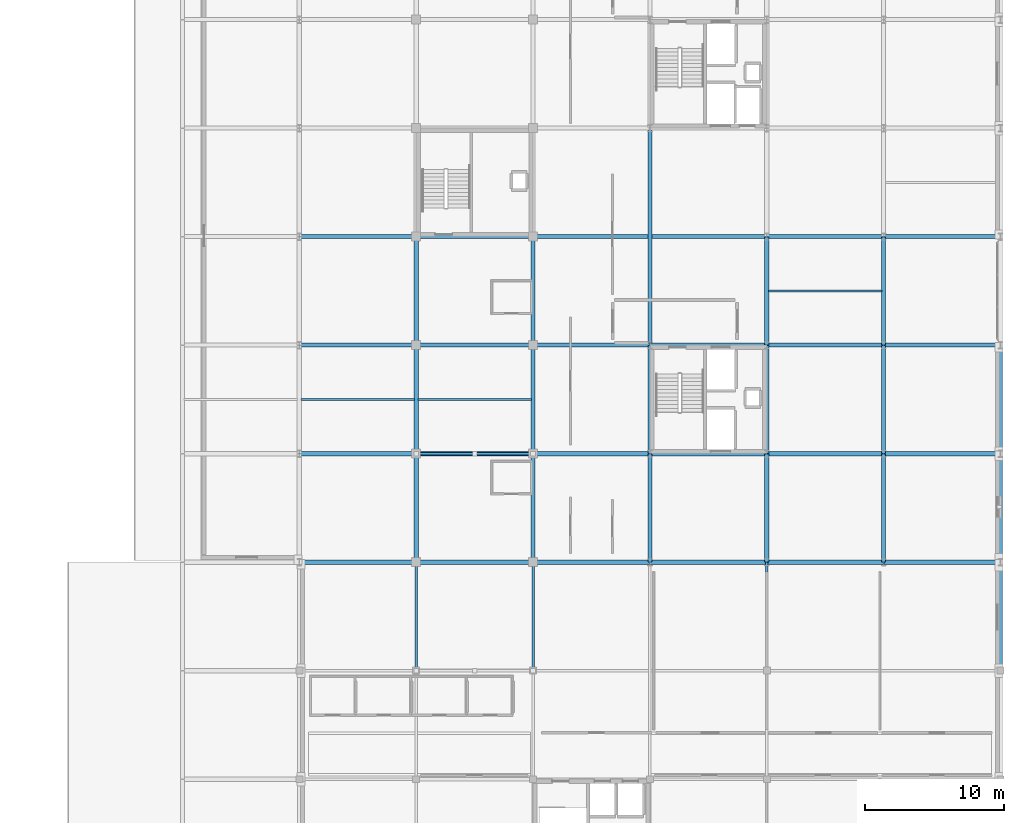
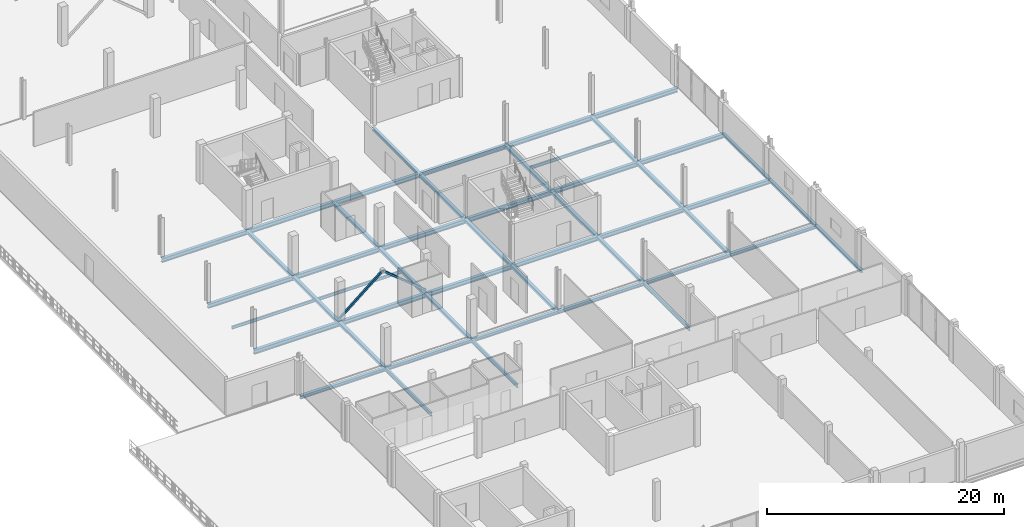
# One storey, part 13 of 41: 47 beams, 2 members.
"""IFC4 building model written with IfcOpenShell, lengths in metres."""

from ifc_helpers import new_model, si_unit, direction, frame, origin, origin_2d, place, context, subcontext, project, spatial, hollow_rectangle, i_section, extrude, material, material_profile, profile_set, type_object, element, save


model = new_model("IFC4")

# Units and contexts
model_context = context("Model", 3, precision=1e-05, world=origin(), true_north=direction((0.0, 1.0)))
body_context = subcontext(model_context, "Body", "Model", "MODEL_VIEW")
ifc_project = project(units=[si_unit("LENGTHUNIT", "METRE"), si_unit("AREAUNIT", "SQUARE_METRE"), si_unit("VOLUMEUNIT", "CUBIC_METRE"), si_unit("PLANEANGLEUNIT", "RADIAN"), si_unit("MASSUNIT", "GRAM", prefix="KILO")], contexts=[model_context])

# Site, building, storey
site_placement = place(None, origin())
site = spatial("IfcSite", under=ifc_project, at=site_placement, CompositionType="ELEMENT")
building_placement = place(site_placement, origin())
building = spatial("IfcBuilding", under=site, at=building_placement, Name="Nabrawat Pavilion Hospital", CompositionType="ELEMENT")
storey_placement = place(building_placement, frame((0.0, 0.0, 18.89990234375)))
storey = spatial("IfcBuildingStorey", under=building, at=storey_placement, Name="L04", CompositionType="ELEMENT", Elevation=18.89990234375)

# Beams
ifc_material = material(Name="Steel S355", Category="steel")
ifc_material_profile_1 = material_profile(ifc_material, i_section(OverallWidth=0.300048828125, OverallDepth=0.43994140625, WebThickness=0.011474609375, FlangeThickness=0.02099609375, FilletRadius=0.027099609375, at=origin_2d()), Name="HEA 450")
ifc_profile_set_1 = profile_set([ifc_material_profile_1], Name="Steel S355")
beam_type_1 = type_object("IfcBeamType", Name="Mid-Tier Ward Girder HEA 450", PredefinedType="USERDEFINED", material=ifc_profile_set_1)
beam_1_placement = place(storey_placement, frame((142.820068359375, 46.800048828125, -0.4599609375), z_axis=(1.0, 0.0, 0.0), x_axis=(0.0, 1.0, 0.0)))
element("IfcBeam", 1, at=beam_1_placement, inside=storey, type_object=beam_type_1, Name="L04 Primary X Girder 1793", ObjectType="GIRDER", PredefinedType="USERDEFINED", context=body_context, shape_type="SweptSolid", body=[
    extrude(i_section(OverallWidth=0.300048828125, OverallDepth=0.43994140625, WebThickness=0.011474609375, FlangeThickness=0.02099609375, FilletRadius=0.027099609375, at=origin_2d()), origin(), (0.0, 0.0, 1.0), 8.35986328125),
])
beam_2_placement = place(storey_placement, frame((151.219970703125, 46.800048828125, -0.4599609375), z_axis=(1.0, 0.0, 0.0), x_axis=(0.0, 1.0, 0.0)))
element("IfcBeam", 2, at=beam_2_placement, inside=storey, type_object=beam_type_1, Name="L04 Primary X Girder 1794", ObjectType="GIRDER", PredefinedType="USERDEFINED", context=body_context, shape_type="SweptSolid", body=[
    extrude(i_section(OverallWidth=0.300048828125, OverallDepth=0.43994140625, WebThickness=0.011474609375, FlangeThickness=0.02099609375, FilletRadius=0.027099609375, at=origin_2d()), origin(), (0.0, 0.0, 1.0), 8.360107421875),
])
for number, where, z_axis, x_axis, name in (
    (3, (159.6201171875, 46.800048828125, -0.4599609375), (1.0, 0.0, 0.0), (0.0, 1.0, 0.0), "L04 Primary X Girder 1795"),
    (4, (168.02001953125, 46.800048828125, -0.4599609375), (1.0, 0.0, 0.0), (0.0, 1.0, 0.0), "L04 Primary X Girder 1796"),
):
    element("IfcBeam", number, at=place(storey_placement, frame(where, z_axis=z_axis, x_axis=x_axis)), inside=storey, type_object=beam_type_1, Name=name, ObjectType="GIRDER", PredefinedType="USERDEFINED", context=body_context, shape_type="SweptSolid", body=[
        extrude(i_section(OverallWidth=0.300048828125, OverallDepth=0.43994140625, WebThickness=0.011474609375, FlangeThickness=0.02099609375, FilletRadius=0.027099609375, at=origin_2d()), origin(), (0.0, 0.0, 1.0), 8.35986328125),
    ])
beam_3_placement = place(storey_placement, frame((176.419921875, 46.800048828125, -0.4599609375), z_axis=(1.0, 0.0, 0.0), x_axis=(0.0, 1.0, 0.0)))
element("IfcBeam", 5, at=beam_3_placement, inside=storey, type_object=beam_type_1, Name="L04 Primary X Girder 1797", ObjectType="GIRDER", PredefinedType="USERDEFINED", context=body_context, shape_type="SweptSolid", body=[
    extrude(i_section(OverallWidth=0.300048828125, OverallDepth=0.43994140625, WebThickness=0.011474609375, FlangeThickness=0.02099609375, FilletRadius=0.027099609375, at=origin_2d()), origin(), (0.0, 0.0, 1.0), 8.360107421875),
])
for number, where, z_axis, x_axis, name in (
    (6, (184.820068359375, 46.800048828125, -0.4599609375), (1.0, 0.0, 0.0), (0.0, 1.0, 0.0), "L04 Primary X Girder 1798"),
    (7, (142.820068359375, 54.60009765625, -0.4599609375), (1.0, 0.0, 0.0), (0.0, 1.0, 0.0), "L04 Primary X Girder 1800"),
):
    element("IfcBeam", number, at=place(storey_placement, frame(where, z_axis=z_axis, x_axis=x_axis)), inside=storey, type_object=beam_type_1, Name=name, ObjectType="GIRDER", PredefinedType="USERDEFINED", context=body_context, shape_type="SweptSolid", body=[
        extrude(i_section(OverallWidth=0.300048828125, OverallDepth=0.43994140625, WebThickness=0.011474609375, FlangeThickness=0.02099609375, FilletRadius=0.027099609375, at=origin_2d()), origin(), (0.0, 0.0, 1.0), 8.35986328125),
    ])
beam_4_placement = place(storey_placement, frame((151.219970703125, 54.60009765625, -0.4599609375), z_axis=(1.0, 0.0, 0.0), x_axis=(0.0, 1.0, 0.0)))
element("IfcBeam", 8, at=beam_4_placement, inside=storey, type_object=beam_type_1, Name="L04 Primary X Girder 1801", ObjectType="GIRDER", PredefinedType="USERDEFINED", context=body_context, shape_type="SweptSolid", body=[
    extrude(i_section(OverallWidth=0.300048828125, OverallDepth=0.43994140625, WebThickness=0.011474609375, FlangeThickness=0.02099609375, FilletRadius=0.027099609375, at=origin_2d()), origin(), (0.0, 0.0, 1.0), 8.360107421875),
])
for number, where, z_axis, x_axis, name in (
    (9, (159.6201171875, 54.60009765625, -0.4599609375), (1.0, 0.0, 0.0), (0.0, 1.0, 0.0), "L04 Primary X Girder 1802"),
    (10, (168.02001953125, 54.60009765625, -0.4599609375), (1.0, 0.0, 0.0), (0.0, 1.0, 0.0), "L04 Primary X Girder 1803"),
):
    element("IfcBeam", number, at=place(storey_placement, frame(where, z_axis=z_axis, x_axis=x_axis)), inside=storey, type_object=beam_type_1, Name=name, ObjectType="GIRDER", PredefinedType="USERDEFINED", context=body_context, shape_type="SweptSolid", body=[
        extrude(i_section(OverallWidth=0.300048828125, OverallDepth=0.43994140625, WebThickness=0.011474609375, FlangeThickness=0.02099609375, FilletRadius=0.027099609375, at=origin_2d()), origin(), (0.0, 0.0, 1.0), 8.35986328125),
    ])
beam_5_placement = place(storey_placement, frame((176.419921875, 54.60009765625, -0.4599609375), z_axis=(1.0, 0.0, 0.0), x_axis=(0.0, 1.0, 0.0)))
element("IfcBeam", 11, at=beam_5_placement, inside=storey, type_object=beam_type_1, Name="L04 Primary X Girder 1804", ObjectType="GIRDER", PredefinedType="USERDEFINED", context=body_context, shape_type="SweptSolid", body=[
    extrude(i_section(OverallWidth=0.300048828125, OverallDepth=0.43994140625, WebThickness=0.011474609375, FlangeThickness=0.02099609375, FilletRadius=0.027099609375, at=origin_2d()), origin(), (0.0, 0.0, 1.0), 8.360107421875),
])
for number, where, z_axis, x_axis, name in (
    (12, (184.820068359375, 54.60009765625, -0.4599609375), (1.0, 0.0, 0.0), (0.0, 1.0, 0.0), "L04 Primary X Girder 1805"),
    (13, (142.820068359375, 62.39990234375, -0.4599609375), (1.0, 0.0, 0.0), (0.0, 1.0, 0.0), "L04 Primary X Girder 1807"),
):
    element("IfcBeam", number, at=place(storey_placement, frame(where, z_axis=z_axis, x_axis=x_axis)), inside=storey, type_object=beam_type_1, Name=name, ObjectType="GIRDER", PredefinedType="USERDEFINED", context=body_context, shape_type="SweptSolid", body=[
        extrude(i_section(OverallWidth=0.300048828125, OverallDepth=0.43994140625, WebThickness=0.011474609375, FlangeThickness=0.02099609375, FilletRadius=0.027099609375, at=origin_2d()), origin(), (0.0, 0.0, 1.0), 8.35986328125),
    ])
beam_6_placement = place(storey_placement, frame((151.219970703125, 62.39990234375, -0.4599609375), z_axis=(1.0, 0.0, 0.0), x_axis=(0.0, 1.0, 0.0)))
element("IfcBeam", 14, at=beam_6_placement, inside=storey, type_object=beam_type_1, Name="L04 Primary X Girder 1808", ObjectType="GIRDER", PredefinedType="USERDEFINED", context=body_context, shape_type="SweptSolid", body=[
    extrude(i_section(OverallWidth=0.300048828125, OverallDepth=0.43994140625, WebThickness=0.011474609375, FlangeThickness=0.02099609375, FilletRadius=0.027099609375, at=origin_2d()), origin(), (0.0, 0.0, 1.0), 8.360107421875),
])
beam_7_placement = place(storey_placement, frame((159.6201171875, 62.39990234375, -0.4599609375), z_axis=(1.0, 0.0, 0.0), x_axis=(0.0, 1.0, 0.0)))
element("IfcBeam", 15, at=beam_7_placement, inside=storey, type_object=beam_type_1, Name="L04 Primary X Girder 1809", ObjectType="GIRDER", PredefinedType="USERDEFINED", context=body_context, shape_type="SweptSolid", body=[
    extrude(i_section(OverallWidth=0.300048828125, OverallDepth=0.43994140625, WebThickness=0.011474609375, FlangeThickness=0.02099609375, FilletRadius=0.027099609375, at=origin_2d()), origin(), (0.0, 0.0, 1.0), 16.759765625),
])
beam_8_placement = place(storey_placement, frame((176.419921875, 62.39990234375, -0.4599609375), z_axis=(1.0, 0.0, 0.0), x_axis=(0.0, 1.0, 0.0)))
element("IfcBeam", 16, at=beam_8_placement, inside=storey, type_object=beam_type_1, Name="L04 Primary X Girder 1810", ObjectType="GIRDER", PredefinedType="USERDEFINED", context=body_context, shape_type="SweptSolid", body=[
    extrude(i_section(OverallWidth=0.300048828125, OverallDepth=0.43994140625, WebThickness=0.011474609375, FlangeThickness=0.02099609375, FilletRadius=0.027099609375, at=origin_2d()), origin(), (0.0, 0.0, 1.0), 8.360107421875),
])
beam_9_placement = place(storey_placement, frame((184.820068359375, 62.39990234375, -0.4599609375), z_axis=(1.0, 0.0, 0.0), x_axis=(0.0, 1.0, 0.0)))
element("IfcBeam", 17, at=beam_9_placement, inside=storey, type_object=beam_type_1, Name="L04 Primary X Girder 1811", ObjectType="GIRDER", PredefinedType="USERDEFINED", context=body_context, shape_type="SweptSolid", body=[
    extrude(i_section(OverallWidth=0.300048828125, OverallDepth=0.43994140625, WebThickness=0.011474609375, FlangeThickness=0.02099609375, FilletRadius=0.027099609375, at=origin_2d()), origin(), (0.0, 0.0, 1.0), 8.35986328125),
])
ifc_material_profile_2 = material_profile(ifc_material, i_section(OverallWidth=0.179931640625, OverallDepth=0.39990234375, WebThickness=0.008544921875, FlangeThickness=0.013427734375, FilletRadius=0.02099609375, at=origin_2d()), Name="IPE 400")
ifc_profile_set_2 = profile_set([ifc_material_profile_2], Name="Steel S355")
beam_type_2 = type_object("IfcBeamType", Name="Standard Y Floor Beam IPE 400", PredefinedType="BEAM", material=ifc_profile_set_2)
for number, where, z_axis, x_axis, name in (
    (18, (151.199951171875, 31.219970703125, -0.429931640625), (0.0, 1.0, 0.0), (-1.0, 0.0, 0.0), "L04 Primary Y Beam 1899"),
    (19, (159.60009765625, 31.219970703125, -0.429931640625), (0.0, 1.0, 0.0), (-1.0, 0.0, 0.0), "L04 Primary Y Beam 1915"),
    (20, (176.39990234375, 31.219970703125, -0.429931640625), (0.0, 1.0, 0.0), (-1.0, 0.0, 0.0), "L04 Primary Y Beam 1940"),
):
    element("IfcBeam", number, at=place(storey_placement, frame(where, z_axis=z_axis, x_axis=x_axis)), inside=storey, type_object=beam_type_2, Name=name, PredefinedType="BEAM", context=body_context, shape_type="SweptSolid", body=[
        extrude(i_section(OverallWidth=0.179931640625, OverallDepth=0.39990234375, WebThickness=0.008544921875, FlangeThickness=0.013427734375, FilletRadius=0.02099609375, at=origin_2d()), origin(), (0.0, 0.0, 1.0), 7.760009765625),
    ])

# Members
ifc_material_profile_3 = material_profile(ifc_material, hollow_rectangle(XDim=0.179931640625, YDim=0.179931640625, WallThickness=0.010009765625, at=origin_2d()), Name="SHS 180x180x10")
ifc_profile_set_3 = profile_set([ifc_material_profile_3], Name="Steel S355")
member_type = type_object("IfcMemberType", Name="Upper Seismic Chevron Brace SHS 180x180x10", PredefinedType="BRACE", material=ifc_profile_set_3)
for number, where, z_axis, x_axis, name in (
    (21, (151.199951171875, 46.800048828125, 0.050048828125), (0.772727041362, 0.0, 0.63473846547), (0.0, 1.0, 0.0), "L04 Seismic Concentric Chevron Brace 057"),
    (22, (159.60009765625, 46.800048828125, 0.050048828125), (-0.772745137627, 0.0, 0.634716434539), (0.0, -1.0, 0.0), "L04 Seismic Concentric Chevron Brace 058"),
):
    element("IfcMember", number, at=place(storey_placement, frame(where, z_axis=z_axis, x_axis=x_axis)), inside=storey, type_object=member_type, Name=name, PredefinedType="BRACE", context=body_context, shape_type="SweptSolid", body=[
        extrude(hollow_rectangle(XDim=0.179931640625, YDim=0.179931640625, WallThickness=0.010009765625, at=origin_2d()), origin(), (0.0, 0.0, 1.0), 5.435302734375),
    ])

# Beams
ifc_material_profile_4 = material_profile(ifc_material, i_section(OverallWidth=0.280029296875, OverallDepth=0.280029296875, WebThickness=0.010498046875, FlangeThickness=0.01806640625, FilletRadius=0.02392578125, at=origin_2d()), Name="HEB 280")
ifc_profile_set_4 = profile_set([ifc_material_profile_4], Name="Steel S355")
beam_type_3 = type_object("IfcBeamType", Name="Upper Terrace Edge Spandrel HEB 280", PredefinedType="SPANDREL", material=ifc_profile_set_4)
for number, where, z_axis, x_axis, name in (
    (23, (193.199951171875, 31.219970703125, -0.369873046875), (0.0, 1.0, 0.0), (-1.0, 0.0, 0.0), "L04 Primary Y Beam 1964"),
    (24, (193.199951171875, 39.02001953125, -0.3798828125), (0.0, 1.0, 0.0), (-1.0, 0.0, 0.0), "L04 Primary Y Beam 1965"),
    (25, (193.199951171875, 46.820068359375, -0.3798828125), (0.0, 1.0, 0.0), (-1.0, 0.0, 0.0), "L04 Primary Y Beam 1966"),
):
    element("IfcBeam", number, at=place(storey_placement, frame(where, z_axis=z_axis, x_axis=x_axis)), inside=storey, type_object=beam_type_3, Name=name, PredefinedType="SPANDREL", context=body_context, shape_type="SweptSolid", body=[
        extrude(i_section(OverallWidth=0.280029296875, OverallDepth=0.280029296875, WebThickness=0.010498046875, FlangeThickness=0.01806640625, FilletRadius=0.02392578125, at=origin_2d()), origin(), (0.0, 0.0, 1.0), 7.760009765625),
    ])
ifc_material_profile_5 = material_profile(ifc_material, i_section(OverallWidth=0.300048828125, OverallDepth=0.340087890625, WebThickness=0.011962890625, FlangeThickness=0.021484375, FilletRadius=0.027099609375, at=origin_2d()), Name="HEB 340")
ifc_profile_set_5 = profile_set([ifc_material_profile_5], Name="Steel S355")
beam_type_4 = type_object("IfcBeamType", Name="Ward Perimeter Spandrel Beam HEB 340", PredefinedType="SPANDREL", material=ifc_profile_set_5)
beam_10_placement = place(storey_placement, frame((142.820068359375, 39.0, -0.409912109375), z_axis=(1.0, 0.0, 0.0), x_axis=(0.0, 1.0, 0.0)))
element("IfcBeam", 26, at=beam_10_placement, inside=storey, type_object=beam_type_4, Name="L04 Primary X Girder 1786", PredefinedType="SPANDREL", context=body_context, shape_type="SweptSolid", body=[
    extrude(i_section(OverallWidth=0.300048828125, OverallDepth=0.340087890625, WebThickness=0.011962890625, FlangeThickness=0.021484375, FilletRadius=0.027099609375, at=origin_2d()), origin(), (0.0, 0.0, 1.0), 8.35986328125),
])
beam_11_placement = place(storey_placement, frame((151.219970703125, 39.0, -0.409912109375), z_axis=(1.0, 0.0, 0.0), x_axis=(0.0, 1.0, 0.0)))
element("IfcBeam", 27, at=beam_11_placement, inside=storey, type_object=beam_type_4, Name="L04 Primary X Girder 1787", PredefinedType="SPANDREL", context=body_context, shape_type="SweptSolid", body=[
    extrude(i_section(OverallWidth=0.300048828125, OverallDepth=0.340087890625, WebThickness=0.011962890625, FlangeThickness=0.021484375, FilletRadius=0.027099609375, at=origin_2d()), origin(), (0.0, 0.0, 1.0), 8.360107421875),
])
for number, where, z_axis, x_axis, name in (
    (28, (159.6201171875, 39.0, -0.409912109375), (1.0, 0.0, 0.0), (0.0, 1.0, 0.0), "L04 Primary X Girder 1788"),
    (29, (168.02001953125, 39.0, -0.409912109375), (1.0, 0.0, 0.0), (0.0, 1.0, 0.0), "L04 Primary X Girder 1789"),
):
    element("IfcBeam", number, at=place(storey_placement, frame(where, z_axis=z_axis, x_axis=x_axis)), inside=storey, type_object=beam_type_4, Name=name, PredefinedType="SPANDREL", context=body_context, shape_type="SweptSolid", body=[
        extrude(i_section(OverallWidth=0.300048828125, OverallDepth=0.340087890625, WebThickness=0.011962890625, FlangeThickness=0.021484375, FilletRadius=0.027099609375, at=origin_2d()), origin(), (0.0, 0.0, 1.0), 8.35986328125),
    ])
beam_12_placement = place(storey_placement, frame((176.419921875, 39.0, -0.409912109375), z_axis=(1.0, 0.0, 0.0), x_axis=(0.0, 1.0, 0.0)))
element("IfcBeam", 30, at=beam_12_placement, inside=storey, type_object=beam_type_4, Name="L04 Primary X Girder 1790", PredefinedType="SPANDREL", context=body_context, shape_type="SweptSolid", body=[
    extrude(i_section(OverallWidth=0.300048828125, OverallDepth=0.340087890625, WebThickness=0.011962890625, FlangeThickness=0.021484375, FilletRadius=0.027099609375, at=origin_2d()), origin(), (0.0, 0.0, 1.0), 8.360107421875),
])
beam_13_placement = place(storey_placement, frame((184.820068359375, 39.0, -0.409912109375), z_axis=(1.0, 0.0, 0.0), x_axis=(0.0, 1.0, 0.0)))
element("IfcBeam", 31, at=beam_13_placement, inside=storey, type_object=beam_type_4, Name="L04 Primary X Girder 1791", PredefinedType="SPANDREL", context=body_context, shape_type="SweptSolid", body=[
    extrude(i_section(OverallWidth=0.300048828125, OverallDepth=0.340087890625, WebThickness=0.011962890625, FlangeThickness=0.021484375, FilletRadius=0.027099609375, at=origin_2d()), origin(), (0.0, 0.0, 1.0), 8.35986328125),
])
ifc_material_profile_6 = material_profile(ifc_material, i_section(OverallWidth=0.14990234375, OverallDepth=0.300048828125, WebThickness=0.007080078125, FlangeThickness=0.0107421875, FilletRadius=0.014892578125, at=origin_2d()), Name="IPE 300")
ifc_profile_set_6 = profile_set([ifc_material_profile_6], Name="Steel S355")
beam_type_5 = type_object("IfcBeamType", Name="Ward Secondary Floor Joist IPE 300", PredefinedType="JOIST", material=ifc_profile_set_6)
beam_14_placement = place(storey_placement, frame((142.925048828125, 50.699951171875, -0.389892578125), z_axis=(1.0, 0.0, 0.0), x_axis=(0.0, 1.0, 0.0)))
element("IfcBeam", 32, at=beam_14_placement, inside=storey, type_object=beam_type_5, Name="L04 Secondary Composite Floor Joist 1978", PredefinedType="JOIST", context=body_context, shape_type="SweptSolid", body=[
    extrude(i_section(OverallWidth=0.14990234375, OverallDepth=0.300048828125, WebThickness=0.007080078125, FlangeThickness=0.0107421875, FilletRadius=0.014892578125, at=origin_2d()), origin(), (0.0, 0.0, 1.0), 8.14990234375),
])
for number, where, z_axis, x_axis, name in (
    (33, (151.324951171875, 50.699951171875, -0.389892578125), (1.0, 0.0, 0.0), (0.0, 1.0, 0.0), "L04 Secondary Composite Floor Joist 1980"),
    (34, (176.52490234375, 58.5, -0.389892578125), (1.0, 0.0, 0.0), (0.0, 1.0, 0.0), "L04 Secondary Composite Floor Joist 1983"),
):
    element("IfcBeam", number, at=place(storey_placement, frame(where, z_axis=z_axis, x_axis=x_axis)), inside=storey, type_object=beam_type_5, Name=name, PredefinedType="JOIST", context=body_context, shape_type="SweptSolid", body=[
        extrude(i_section(OverallWidth=0.14990234375, OverallDepth=0.300048828125, WebThickness=0.007080078125, FlangeThickness=0.0107421875, FilletRadius=0.014892578125, at=origin_2d()), origin(), (0.0, 0.0, 1.0), 8.150146484375),
    ])
ifc_material_profile_7 = material_profile(ifc_material, i_section(OverallWidth=0.300048828125, OverallDepth=0.31005859375, WebThickness=0.009033203125, FlangeThickness=0.015380859375, FilletRadius=0.027099609375, at=origin_2d()), Name="HEA 320")
ifc_profile_set_7 = profile_set([ifc_material_profile_7], Name="Steel S355")
beam_type_6 = type_object("IfcBeamType", Name="Ward Spine Beam HEA 320", PredefinedType="BEAM", material=ifc_profile_set_7)
for number, where, z_axis, x_axis, name in (
    (35, (151.199951171875, 39.02001953125, -0.39501953125), (0.0, 1.0, 0.0), (-1.0, 0.0, 0.0), "L04 Primary Y Beam 1900"),
    (36, (151.199951171875, 46.820068359375, -0.39501953125), (0.0, 1.0, 0.0), (-1.0, 0.0, 0.0), "L04 Primary Y Beam 1901"),
):
    element("IfcBeam", number, at=place(storey_placement, frame(where, z_axis=z_axis, x_axis=x_axis)), inside=storey, type_object=beam_type_6, Name=name, PredefinedType="BEAM", context=body_context, shape_type="SweptSolid", body=[
        extrude(i_section(OverallWidth=0.300048828125, OverallDepth=0.31005859375, WebThickness=0.009033203125, FlangeThickness=0.015380859375, FilletRadius=0.027099609375, at=origin_2d()), origin(), (0.0, 0.0, 1.0), 7.760009765625),
    ])
beam_15_placement = place(storey_placement, frame((151.199951171875, 54.6201171875, -0.39501953125), z_axis=(0.0, 1.0, 0.0), x_axis=(-1.0, 0.0, 0.0)))
element("IfcBeam", 37, at=beam_15_placement, inside=storey, type_object=beam_type_6, Name="L04 Primary Y Beam 1902", PredefinedType="BEAM", context=body_context, shape_type="SweptSolid", body=[
    extrude(i_section(OverallWidth=0.300048828125, OverallDepth=0.31005859375, WebThickness=0.009033203125, FlangeThickness=0.015380859375, FilletRadius=0.027099609375, at=origin_2d()), origin(), (0.0, 0.0, 1.0), 7.759765625),
])
for number, where, z_axis, x_axis, name in (
    (38, (159.60009765625, 39.02001953125, -0.39501953125), (0.0, 1.0, 0.0), (-1.0, 0.0, 0.0), "L04 Primary Y Beam 1916"),
    (39, (159.60009765625, 46.820068359375, -0.39501953125), (0.0, 1.0, 0.0), (-1.0, 0.0, 0.0), "L04 Primary Y Beam 1917"),
):
    element("IfcBeam", number, at=place(storey_placement, frame(where, z_axis=z_axis, x_axis=x_axis)), inside=storey, type_object=beam_type_6, Name=name, PredefinedType="BEAM", context=body_context, shape_type="SweptSolid", body=[
        extrude(i_section(OverallWidth=0.300048828125, OverallDepth=0.31005859375, WebThickness=0.009033203125, FlangeThickness=0.015380859375, FilletRadius=0.027099609375, at=origin_2d()), origin(), (0.0, 0.0, 1.0), 7.760009765625),
    ])
beam_16_placement = place(storey_placement, frame((159.60009765625, 54.6201171875, -0.39501953125), z_axis=(0.0, 1.0, 0.0), x_axis=(-1.0, 0.0, 0.0)))
element("IfcBeam", 40, at=beam_16_placement, inside=storey, type_object=beam_type_6, Name="L04 Primary Y Beam 1918", PredefinedType="BEAM", context=body_context, shape_type="SweptSolid", body=[
    extrude(i_section(OverallWidth=0.300048828125, OverallDepth=0.31005859375, WebThickness=0.009033203125, FlangeThickness=0.015380859375, FilletRadius=0.027099609375, at=origin_2d()), origin(), (0.0, 0.0, 1.0), 7.759765625),
])
for number, where, z_axis, x_axis, name in (
    (41, (168.0, 39.02001953125, -0.39501953125), (0.0, 1.0, 0.0), (-1.0, 0.0, 0.0), "L04 Primary Y Beam 1930"),
    (42, (168.0, 46.820068359375, -0.39501953125), (0.0, 1.0, 0.0), (-1.0, 0.0, 0.0), "L04 Primary Y Beam 1931"),
):
    element("IfcBeam", number, at=place(storey_placement, frame(where, z_axis=z_axis, x_axis=x_axis)), inside=storey, type_object=beam_type_6, Name=name, PredefinedType="BEAM", context=body_context, shape_type="SweptSolid", body=[
        extrude(i_section(OverallWidth=0.300048828125, OverallDepth=0.31005859375, WebThickness=0.009033203125, FlangeThickness=0.015380859375, FilletRadius=0.027099609375, at=origin_2d()), origin(), (0.0, 0.0, 1.0), 7.760009765625),
    ])
beam_17_placement = place(storey_placement, frame((168.0, 54.6201171875, -0.39501953125), z_axis=(0.0, 1.0, 0.0), x_axis=(-1.0, 0.0, 0.0)))
element("IfcBeam", 43, at=beam_17_placement, inside=storey, type_object=beam_type_6, Name="L04 Primary Y Beam 1932", PredefinedType="BEAM", context=body_context, shape_type="SweptSolid", body=[
    extrude(i_section(OverallWidth=0.300048828125, OverallDepth=0.31005859375, WebThickness=0.009033203125, FlangeThickness=0.015380859375, FilletRadius=0.027099609375, at=origin_2d()), origin(), (0.0, 0.0, 1.0), 15.559814453125),
])
for number, where, z_axis, x_axis, name in (
    (44, (176.39990234375, 39.02001953125, -0.39501953125), (0.0, 1.0, 0.0), (-1.0, 0.0, 0.0), "L04 Primary Y Beam 1941"),
    (45, (176.39990234375, 46.820068359375, -0.39501953125), (0.0, 1.0, 0.0), (-1.0, 0.0, 0.0), "L04 Primary Y Beam 1942"),
):
    element("IfcBeam", number, at=place(storey_placement, frame(where, z_axis=z_axis, x_axis=x_axis)), inside=storey, type_object=beam_type_6, Name=name, PredefinedType="BEAM", context=body_context, shape_type="SweptSolid", body=[
        extrude(i_section(OverallWidth=0.300048828125, OverallDepth=0.31005859375, WebThickness=0.009033203125, FlangeThickness=0.015380859375, FilletRadius=0.027099609375, at=origin_2d()), origin(), (0.0, 0.0, 1.0), 7.760009765625),
    ])
beam_18_placement = place(storey_placement, frame((176.39990234375, 54.6201171875, -0.39501953125), z_axis=(0.0, 1.0, 0.0), x_axis=(-1.0, 0.0, 0.0)))
element("IfcBeam", 46, at=beam_18_placement, inside=storey, type_object=beam_type_6, Name="L04 Primary Y Beam 1943", PredefinedType="BEAM", context=body_context, shape_type="SweptSolid", body=[
    extrude(i_section(OverallWidth=0.300048828125, OverallDepth=0.31005859375, WebThickness=0.009033203125, FlangeThickness=0.015380859375, FilletRadius=0.027099609375, at=origin_2d()), origin(), (0.0, 0.0, 1.0), 7.759765625),
])
for number, where, z_axis, x_axis, name in (
    (47, (184.800048828125, 39.02001953125, -0.39501953125), (0.0, 1.0, 0.0), (-1.0, 0.0, 0.0), "L04 Primary Y Beam 1953"),
    (48, (184.800048828125, 46.820068359375, -0.39501953125), (0.0, 1.0, 0.0), (-1.0, 0.0, 0.0), "L04 Primary Y Beam 1954"),
):
    element("IfcBeam", number, at=place(storey_placement, frame(where, z_axis=z_axis, x_axis=x_axis)), inside=storey, type_object=beam_type_6, Name=name, PredefinedType="BEAM", context=body_context, shape_type="SweptSolid", body=[
        extrude(i_section(OverallWidth=0.300048828125, OverallDepth=0.31005859375, WebThickness=0.009033203125, FlangeThickness=0.015380859375, FilletRadius=0.027099609375, at=origin_2d()), origin(), (0.0, 0.0, 1.0), 7.760009765625),
    ])
beam_19_placement = place(storey_placement, frame((184.800048828125, 54.6201171875, -0.39501953125), z_axis=(0.0, 1.0, 0.0), x_axis=(-1.0, 0.0, 0.0)))
element("IfcBeam", 49, at=beam_19_placement, inside=storey, type_object=beam_type_6, Name="L04 Primary Y Beam 1955", PredefinedType="BEAM", context=body_context, shape_type="SweptSolid", body=[
    extrude(i_section(OverallWidth=0.300048828125, OverallDepth=0.31005859375, WebThickness=0.009033203125, FlangeThickness=0.015380859375, FilletRadius=0.027099609375, at=origin_2d()), origin(), (0.0, 0.0, 1.0), 7.759765625),
])

save(model, "model.ifc")
